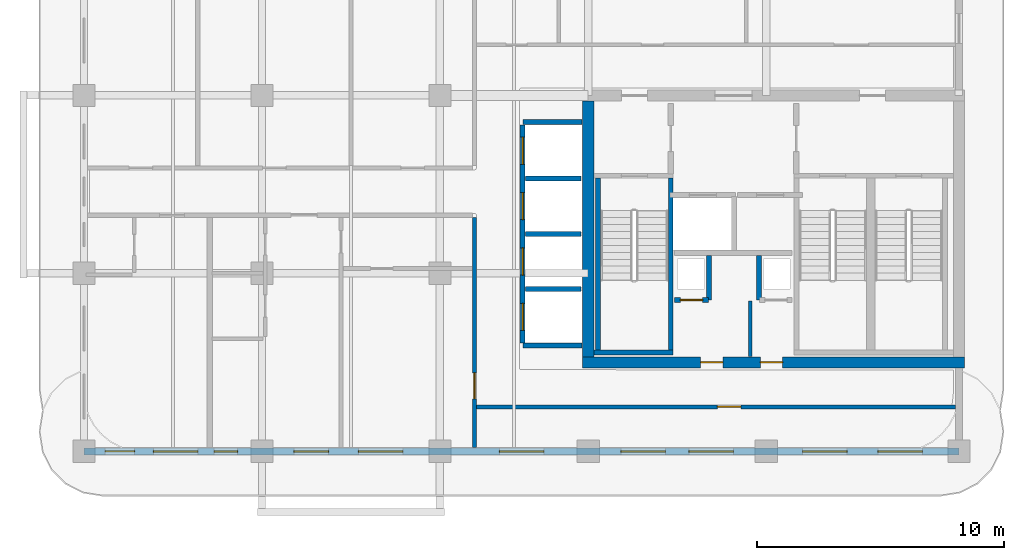
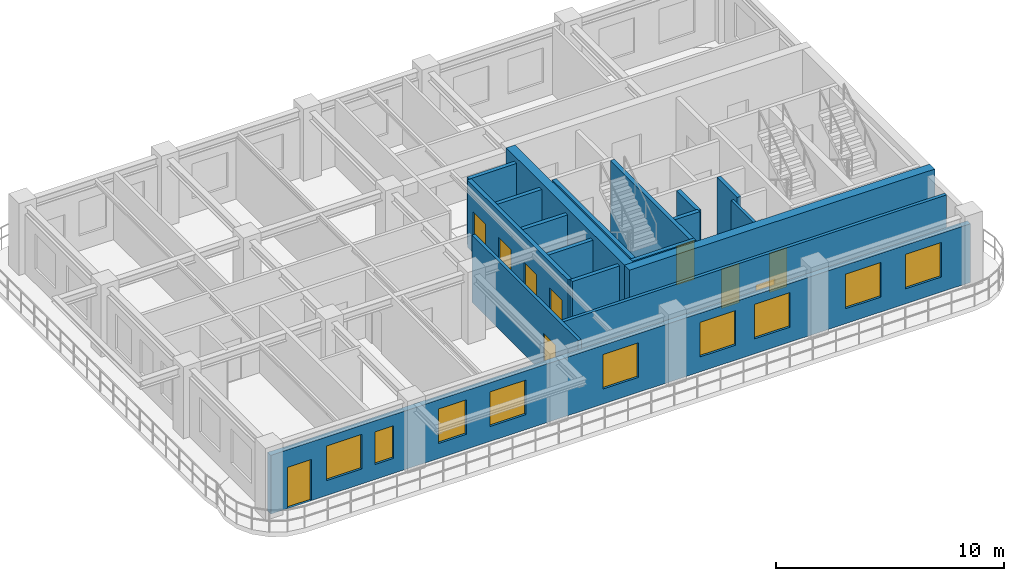
# One storey, part 3 of 7: 18 walls, 10 doors, 9 windows, 19 openings.
"""IFC4 building model written with IfcOpenShell, lengths in metres."""

from ifc_helpers import new_model, si_unit, derived_unit, direction, frame, frame_2d, origin, place, context, subcontext, project, spatial, rectangle, extrude, source, transform, mapped, material, layer, layer_set, type_object, type_shapes, element, fill, save


model = new_model("IFC4")

# Units and contexts
model_context = context("Model", 3, precision=1e-05, world=origin(), true_north=direction((0.0, 1.0)))
body_context = subcontext(model_context, "Body", "Model", "MODEL_VIEW")
ifc_project = project(units=[si_unit("LENGTHUNIT", "METRE"), si_unit("AREAUNIT", "SQUARE_METRE"), si_unit("VOLUMEUNIT", "CUBIC_METRE"), si_unit("PLANEANGLEUNIT", "RADIAN"), si_unit("MASSUNIT", "GRAM", prefix="KILO"), si_unit("THERMODYNAMICTEMPERATUREUNIT", "KELVIN"), si_unit("POWERUNIT", "WATT"), derived_unit("THERMALTRANSMITTANCEUNIT", [(si_unit("POWERUNIT", "WATT"), 1), (si_unit("AREAUNIT", "SQUARE_METRE"), -1), (si_unit("THERMODYNAMICTEMPERATUREUNIT", "KELVIN"), -1)])], contexts=[model_context])

# Site, building, storey
site_placement = place(None, origin())
site = spatial("IfcSite", under=ifc_project, at=site_placement, CompositionType="ELEMENT")
building_placement = place(site_placement, origin())
building = spatial("IfcBuilding", under=site, at=building_placement, Name="Zahravan Archway Hotel and Residences", CompositionType="ELEMENT")
storey_placement = place(building_placement, frame((0.0, 0.0, 244.25)))
storey = spatial("IfcBuildingStorey", under=building, at=storey_placement, Name="L61", CompositionType="ELEMENT", Elevation=244.25)

# Wall, openings, doors
ifc_material_1 = material(Name="Concrete C50/60", Category="concrete")
ifc_layer_1 = layer(ifc_material_1, 0.449951171875, Name="Concrete C50/60", Category="concrete")
ifc_layer_set_1 = layer_set([ifc_layer_1], Name="Concrete C50/60")
wall_type_1 = type_object("IfcWallType", Name="CW-CORE-450", PredefinedType="SHEAR", material=ifc_layer_set_1)
wall_1_placement = place(storey_placement, frame((34.574951171875, 3.60009765625, 0.0), z_axis=(0.0, 0.0, 1.0), x_axis=(1.0, 0.0, 0.0)))
wall_1 = element("IfcWall", 1, at=wall_1_placement, inside=storey, type_object=wall_type_1, Name="L61 Core A Shear S Wall 450 mm", PredefinedType="SHEAR", context=body_context, shape_type="SweptSolid", body=[
    extrude(rectangle(XDim=15.449951171875, YDim=0.449951171875, at=frame_2d((7.72509765625, 0.0))), origin(), (0.0, 0.0, 1.0), 3.85009765625),
])
opening_1_placement = place(wall_1_placement, frame((4.77490234375, 0.0, 0.0)))
opening_1 = element("IfcOpeningElement", 2, at=opening_1_placement, cuts=wall_1, Name="Opening FD-R1", PredefinedType="OPENING", context=body_context, shape_type="SweptSolid", body=[
    extrude(rectangle(XDim=0.89990234375, YDim=2.10009765625, at=frame_2d((0.449951171875, 1.050048828125))), frame((0.0, 0.23486328125, 0.0), z_axis=(0.0, -1.0, 0.0), x_axis=(1.0, 0.0, 0.0)), (0.0, 0.0, 1.0), 0.469970703125),
])
opening_2_placement = place(wall_1_placement, frame((7.195068359375, 0.0, 0.0)))
opening_2 = element("IfcOpeningElement", 3, at=opening_2_placement, cuts=wall_1, Name="Opening FD-R1", PredefinedType="OPENING", context=body_context, shape_type="SweptSolid", body=[
    extrude(rectangle(XDim=0.89990234375, YDim=2.10009765625, at=frame_2d((0.449951171875, 1.050048828125))), frame((0.0, 0.23486328125, 0.0), z_axis=(0.0, -1.0, 0.0), x_axis=(1.0, 0.0, 0.0)), (0.0, 0.0, 1.0), 0.469970703125),
])
ifc_material_2 = material(Name="Fire-Rated Painted Steel", Category="steel")
door_type_1 = type_object("IfcDoorType", Name="FD-RISER-900", OperationType="NOTDEFINED", PredefinedType="DOOR", material=ifc_material_2)
shared_shape_1 = source(origin(), body_context, "Body", "SweptSolid", [
    extrude(rectangle(XDim=0.89990234375, YDim=2.10009765625, at=frame_2d((0.449951171875, 1.050048828125))), frame((0.0, 0.02490234375, 0.0), z_axis=(0.0, -1.0, 0.0), x_axis=(1.0, 0.0, 0.0)), (0.0, 0.0, 1.0), 0.050048828125),
])
type_shapes(door_type_1, [shared_shape_1])
door_1_placement = place(opening_1_placement, origin())
door_1 = element("IfcDoor", 4, at=door_1_placement, inside=storey, type_object=door_type_1, Name="L61 Service Pantry Door", OperationType="SINGLE_SWING_RIGHT", OverallHeight=2.10009765625, OverallWidth=0.89990234375, PredefinedType="DOOR", context=body_context, shape_type="MappedRepresentation", body=[
    mapped(shared_shape_1, transform((0.0, 0.0, 0.0), scale=1.0)),
])
fill(opening_1, door_1)
door_2_placement = place(opening_2_placement, origin())
door_2 = element("IfcDoor", 5, at=door_2_placement, inside=storey, type_object=door_type_1, Name="L61 Fibre ELV Riser Door", OperationType="SINGLE_SWING_LEFT", OverallHeight=2.10009765625, OverallWidth=0.89990234375, PredefinedType="DOOR", context=body_context, shape_type="MappedRepresentation", body=[
    mapped(shared_shape_1, transform((0.0, 0.0, 0.0), scale=1.0)),
])
fill(opening_2, door_2)

# Wall
wall_2_placement = place(storey_placement, frame((34.800048828125, 3.824951171875, 0.0), z_axis=(0.0, 0.0, 1.0), x_axis=(0.0, 1.0, 0.0)))
element("IfcWall", 6, at=wall_2_placement, inside=storey, type_object=wall_type_1, Name="L61 Core A Shear W Wall 450 mm", PredefinedType="SHEAR", context=body_context, shape_type="SweptSolid", body=[
    extrude(rectangle(XDim=10.35009765625, YDim=0.449951171875, at=frame_2d((5.175048828125, 0.0))), origin(), (0.0, 0.0, 1.0), 3.85009765625),
])

# Wall, openings, door, windows
ifc_material_3 = material(Name="Honed Red-Ochre Sandstone & Insulated Block", Category="masonry")
ifc_layer_2 = layer(ifc_material_3, 0.280029296875, Name="Honed Red-Ochre Sandstone & Insulated Block", Category="masonry")
ifc_layer_set_2 = layer_set([ifc_layer_2], Name="Honed Red-Ochre Sandstone & Insulated Block")
wall_type_2 = type_object("IfcWallType", Name="EW-LOG-280", PredefinedType="SOLIDWALL", material=ifc_layer_set_2)
wall_3_placement = place(storey_placement, frame((14.39990234375, 0.0, 0.0), z_axis=(0.0, 0.0, 1.0), x_axis=(1.0, 0.0, 0.0)))
wall_3 = element("IfcWall", 7, at=wall_3_placement, inside=storey, type_object=wall_type_2, Name="L61 Exterior Sandstone Wall WA-S", PredefinedType="SOLIDWALL", context=body_context, shape_type="SweptSolid", body=[
    extrude(rectangle(XDim=35.400146484375, YDim=0.280029296875, at=frame_2d((17.7001953125, 0.0))), origin(), (0.0, 0.0, 1.0), 3.135009765625),
])
opening_3_placement = place(wall_3_placement, frame((0.85009765625, 0.0, 0.0)))
opening_3 = element("IfcOpeningElement", 8, at=opening_3_placement, cuts=wall_3, Name="Opening ED-BL1", PredefinedType="OPENING", context=body_context, shape_type="SweptSolid", body=[
    extrude(rectangle(XDim=1.199951171875, YDim=2.199951171875, at=frame_2d((0.60009765625, 1.10009765625))), frame((0.0, 0.14990234375, 0.0), z_axis=(0.0, -1.0, 0.0), x_axis=(1.0, 0.0, 0.0)), (0.0, 0.0, 1.0), 0.300048828125),
])
opening_4_placement = place(wall_3_placement, frame((2.81103515625, 0.0, 0.800048828125)))
opening_4 = element("IfcOpeningElement", 9, at=opening_4_placement, cuts=wall_3, Name="Opening W-02", PredefinedType="OPENING", context=body_context, shape_type="SweptSolid", body=[
    extrude(rectangle(XDim=1.800048828125, YDim=1.85009765625, at=frame_2d((0.89990234375, 0.925048828125))), frame((0.0, 0.14990234375, 0.0), z_axis=(0.0, -1.0, 0.0), x_axis=(1.0, 0.0, 0.0)), (0.0, 0.0, 1.0), 0.300048828125),
])
opening_5_placement = place(wall_3_placement, frame((5.26904296875, 0.0, 0.800048828125)))
opening_5 = element("IfcOpeningElement", 10, at=opening_5_placement, cuts=wall_3, Name="Opening W-04", PredefinedType="OPENING", context=body_context, shape_type="SweptSolid", body=[
    extrude(rectangle(XDim=0.949951171875, YDim=1.75, at=frame_2d((0.47509765625, 0.875))), frame((0.0, 0.14990234375, 0.0), z_axis=(0.0, -1.0, 0.0), x_axis=(1.0, 0.0, 0.0)), (0.0, 0.0, 1.0), 0.300048828125),
])
opening_6_placement = place(wall_3_placement, frame((8.49609375, 0.0, 0.800048828125)))
opening_6 = element("IfcOpeningElement", 11, at=opening_6_placement, cuts=wall_3, Name="Opening W-03", PredefinedType="OPENING", context=body_context, shape_type="SweptSolid", body=[
    extrude(rectangle(XDim=1.39990234375, YDim=1.85009765625, at=frame_2d((0.699951171875, 0.925048828125))), frame((0.0, 0.14990234375, 0.0), z_axis=(0.0, -1.0, 0.0), x_axis=(1.0, 0.0, 0.0)), (0.0, 0.0, 1.0), 0.300048828125),
])
opening_7_placement = place(wall_3_placement, frame((11.10400390625, 0.0, 0.800048828125)))
opening_7 = element("IfcOpeningElement", 12, at=opening_7_placement, cuts=wall_3, Name="Opening W-02", PredefinedType="OPENING", context=body_context, shape_type="SweptSolid", body=[
    extrude(rectangle(XDim=1.800048828125, YDim=1.85009765625, at=frame_2d((0.89990234375, 0.925048828125))), frame((0.0, 0.14990234375, 0.0), z_axis=(0.0, -1.0, 0.0), x_axis=(1.0, 0.0, 0.0)), (0.0, 0.0, 1.0), 0.300048828125),
])
opening_8_placement = place(wall_3_placement, frame((16.803955078125, 0.0, 0.800048828125)))
opening_8 = element("IfcOpeningElement", 13, at=opening_8_placement, cuts=wall_3, Name="Opening W-02", PredefinedType="OPENING", context=body_context, shape_type="SweptSolid", body=[
    extrude(rectangle(XDim=1.800048828125, YDim=1.85009765625, at=frame_2d((0.89990234375, 0.925048828125))), frame((0.0, 0.14990234375, 0.0), z_axis=(0.0, -1.0, 0.0), x_axis=(1.0, 0.0, 0.0)), (0.0, 0.0, 1.0), 0.300048828125),
])
opening_9_placement = place(wall_3_placement, frame((21.72509765625, 0.0, 0.800048828125)))
opening_9 = element("IfcOpeningElement", 14, at=opening_9_placement, cuts=wall_3, Name="Opening W-02", PredefinedType="OPENING", context=body_context, shape_type="SweptSolid", body=[
    extrude(rectangle(XDim=1.800048828125, YDim=1.85009765625, at=frame_2d((0.89990234375, 0.925048828125))), frame((0.0, 0.14990234375, 0.0), z_axis=(0.0, -1.0, 0.0), x_axis=(1.0, 0.0, 0.0)), (0.0, 0.0, 1.0), 0.300048828125),
])
opening_10_placement = place(wall_3_placement, frame((24.47509765625, 0.0, 0.800048828125)))
opening_10 = element("IfcOpeningElement", 15, at=opening_10_placement, cuts=wall_3, Name="Opening W-02", PredefinedType="OPENING", context=body_context, shape_type="SweptSolid", body=[
    extrude(rectangle(XDim=1.800048828125, YDim=1.85009765625, at=frame_2d((0.89990234375, 0.925048828125))), frame((0.0, 0.14990234375, 0.0), z_axis=(0.0, -1.0, 0.0), x_axis=(1.0, 0.0, 0.0)), (0.0, 0.0, 1.0), 0.300048828125),
])
opening_11_placement = place(wall_3_placement, frame((29.074951171875, 0.0, 0.800048828125)))
opening_11 = element("IfcOpeningElement", 16, at=opening_11_placement, cuts=wall_3, Name="Opening W-02", PredefinedType="OPENING", context=body_context, shape_type="SweptSolid", body=[
    extrude(rectangle(XDim=1.800048828125, YDim=1.85009765625, at=frame_2d((0.89990234375, 0.925048828125))), frame((0.0, 0.14990234375, 0.0), z_axis=(0.0, -1.0, 0.0), x_axis=(1.0, 0.0, 0.0)), (0.0, 0.0, 1.0), 0.300048828125),
])
opening_12_placement = place(wall_3_placement, frame((32.125, 0.0, 0.800048828125)))
opening_12 = element("IfcOpeningElement", 17, at=opening_12_placement, cuts=wall_3, Name="Opening W-02", PredefinedType="OPENING", context=body_context, shape_type="SweptSolid", body=[
    extrude(rectangle(XDim=1.800048828125, YDim=1.85009765625, at=frame_2d((0.89990234375, 0.925048828125))), frame((0.0, 0.14990234375, 0.0), z_axis=(0.0, -1.0, 0.0), x_axis=(1.0, 0.0, 0.0)), (0.0, 0.0, 1.0), 0.300048828125),
])
ifc_material_4 = material(Name="Bronze-Anodized Glazed Aluminium", Category="aluminium")
door_type_2 = type_object("IfcDoorType", Name="ED-BALC-1200", OperationType="SLIDING_TO_LEFT", PredefinedType="DOOR", material=ifc_material_4)
shared_shape_2 = source(origin(), body_context, "Body", "SweptSolid", [
    extrude(rectangle(XDim=1.199951171875, YDim=2.199951171875, at=frame_2d((0.60009765625, 1.10009765625))), frame((0.0, 0.02490234375, 0.0), z_axis=(0.0, -1.0, 0.0), x_axis=(1.0, 0.0, 0.0)), (0.0, 0.0, 1.0), 0.050048828125),
])
type_shapes(door_type_2, [shared_shape_2])
door_3_placement = place(opening_3_placement, origin())
door_3 = element("IfcDoor", 18, at=door_3_placement, inside=storey, type_object=door_type_2, Name="L61 Outdoor Access Sliding Door (SLB-BAL-L61-SA)", OperationType="SLIDING_TO_LEFT", OverallHeight=2.199951171875, OverallWidth=1.199951171875, PredefinedType="DOOR", context=body_context, shape_type="MappedRepresentation", body=[
    mapped(shared_shape_2, transform((0.0, 0.0, 0.0), scale=1.0)),
])
fill(opening_3, door_3)
ifc_material_5 = material(Name="Bronze-Anodized Thermal-Break Aluminium & Low-E Glass", Category="aluminium")
window_type_1 = type_object("IfcWindowType", Name="WIN-TWR-1400", PartitioningType="SINGLE_PANEL", PredefinedType="WINDOW", material=ifc_material_5)
shared_shape_3 = source(origin(), body_context, "Body", "SweptSolid", [
    extrude(rectangle(XDim=1.39990234375, YDim=1.85009765625, at=frame_2d((0.699951171875, 0.925048828125))), frame((0.0, 0.030029296875, 0.0), z_axis=(0.0, -1.0, 0.0), x_axis=(1.0, 0.0, 0.0)), (0.0, 0.0, 1.0), 0.06005859375),
])
type_shapes(window_type_1, [shared_shape_3])
window_1_placement = place(opening_6_placement, origin())
window_1 = element("IfcWindow", 19, at=window_1_placement, inside=storey, type_object=window_type_1, Name="L61 Loggia Window 03", OverallHeight=1.85009765625, OverallWidth=1.39990234375, PartitioningType="SINGLE_PANEL", PredefinedType="WINDOW", context=body_context, shape_type="MappedRepresentation", body=[
    mapped(shared_shape_3, transform((0.0, 0.0, 0.0), scale=1.0)),
])
fill(opening_6, window_1)
window_type_2 = type_object("IfcWindowType", Name="WIN-NAR-950", PartitioningType="SINGLE_PANEL", PredefinedType="WINDOW", material=ifc_material_5)
shared_shape_4 = source(origin(), body_context, "Body", "SweptSolid", [
    extrude(rectangle(XDim=0.949951171875, YDim=1.75, at=frame_2d((0.47509765625, 0.875))), frame((0.0, 0.030029296875, 0.0), z_axis=(0.0, -1.0, 0.0), x_axis=(1.0, 0.0, 0.0)), (0.0, 0.0, 1.0), 0.06005859375),
])
type_shapes(window_type_2, [shared_shape_4])
window_2_placement = place(opening_5_placement, origin())
window_2 = element("IfcWindow", 20, at=window_2_placement, inside=storey, type_object=window_type_2, Name="L61 Loggia Window 02", OverallHeight=1.75, OverallWidth=0.949951171875, PartitioningType="SINGLE_PANEL", PredefinedType="WINDOW", context=body_context, shape_type="MappedRepresentation", body=[
    mapped(shared_shape_4, transform((0.0, 0.0, 0.0), scale=1.0)),
])
fill(opening_5, window_2)
window_type_3 = type_object("IfcWindowType", Name="WIN-TWR-1800", PartitioningType="DOUBLE_PANEL_VERTICAL", PredefinedType="WINDOW", material=ifc_material_5)
shared_shape_5 = source(origin(), body_context, "Body", "SweptSolid", [
    extrude(rectangle(XDim=1.800048828125, YDim=1.85009765625, at=frame_2d((0.89990234375, 0.925048828125))), frame((0.0, 0.030029296875, 0.0), z_axis=(0.0, -1.0, 0.0), x_axis=(1.0, 0.0, 0.0)), (0.0, 0.0, 1.0), 0.06005859375),
])
type_shapes(window_type_3, [shared_shape_5])
window_3_placement = place(opening_4_placement, origin())
window_3 = element("IfcWindow", 21, at=window_3_placement, inside=storey, type_object=window_type_3, Name="L61 Loggia Window 01", OverallHeight=1.85009765625, OverallWidth=1.800048828125, PartitioningType="DOUBLE_PANEL_VERTICAL", PredefinedType="WINDOW", context=body_context, shape_type="MappedRepresentation", body=[
    mapped(shared_shape_5, transform((0.0, 0.0, 0.0), scale=1.0)),
])
fill(opening_4, window_3)
window_4_placement = place(opening_7_placement, origin())
window_4 = element("IfcWindow", 22, at=window_4_placement, inside=storey, type_object=window_type_3, Name="L61 Loggia Window 04", OverallHeight=1.85009765625, OverallWidth=1.800048828125, PartitioningType="DOUBLE_PANEL_VERTICAL", PredefinedType="WINDOW", context=body_context, shape_type="MappedRepresentation", body=[
    mapped(shared_shape_5, transform((0.0, 0.0, 0.0), scale=1.0)),
])
fill(opening_7, window_4)
window_5_placement = place(opening_8_placement, origin())
window_5 = element("IfcWindow", 23, at=window_5_placement, inside=storey, type_object=window_type_3, Name="L61 Loggia Window 05", OverallHeight=1.85009765625, OverallWidth=1.800048828125, PartitioningType="DOUBLE_PANEL_VERTICAL", PredefinedType="WINDOW", context=body_context, shape_type="MappedRepresentation", body=[
    mapped(shared_shape_5, transform((0.0, 0.0, 0.0), scale=1.0)),
])
fill(opening_8, window_5)
window_6_placement = place(opening_9_placement, origin())
window_6 = element("IfcWindow", 24, at=window_6_placement, inside=storey, type_object=window_type_3, Name="L61 Loggia Window 06", OverallHeight=1.85009765625, OverallWidth=1.800048828125, PartitioningType="DOUBLE_PANEL_VERTICAL", PredefinedType="WINDOW", context=body_context, shape_type="MappedRepresentation", body=[
    mapped(shared_shape_5, transform((0.0, 0.0, 0.0), scale=1.0)),
])
fill(opening_9, window_6)
window_7_placement = place(opening_10_placement, origin())
window_7 = element("IfcWindow", 25, at=window_7_placement, inside=storey, type_object=window_type_3, Name="L61 Loggia Window 07", OverallHeight=1.85009765625, OverallWidth=1.800048828125, PartitioningType="DOUBLE_PANEL_VERTICAL", PredefinedType="WINDOW", context=body_context, shape_type="MappedRepresentation", body=[
    mapped(shared_shape_5, transform((0.0, 0.0, 0.0), scale=1.0)),
])
fill(opening_10, window_7)
window_8_placement = place(opening_11_placement, origin())
window_8 = element("IfcWindow", 26, at=window_8_placement, inside=storey, type_object=window_type_3, Name="L61 Loggia Window 08", OverallHeight=1.85009765625, OverallWidth=1.800048828125, PartitioningType="DOUBLE_PANEL_VERTICAL", PredefinedType="WINDOW", context=body_context, shape_type="MappedRepresentation", body=[
    mapped(shared_shape_5, transform((0.0, 0.0, 0.0), scale=1.0)),
])
fill(opening_11, window_8)
window_9_placement = place(opening_12_placement, origin())
window_9 = element("IfcWindow", 27, at=window_9_placement, inside=storey, type_object=window_type_3, Name="L61 Loggia Window 09", OverallHeight=1.85009765625, OverallWidth=1.800048828125, PartitioningType="DOUBLE_PANEL_VERTICAL", PredefinedType="WINDOW", context=body_context, shape_type="MappedRepresentation", body=[
    mapped(shared_shape_5, transform((0.0, 0.0, 0.0), scale=1.0)),
])
fill(opening_12, window_9)

# Wall, opening, door
ifc_material_6 = material(Name="Fire-Rated Gypsum & Concrete Block", Category="concrete")
ifc_layer_3 = layer(ifc_material_6, 0.159912109375, Name="Fire-Rated Gypsum & Concrete Block", Category="concrete")
ifc_layer_set_3 = layer_set([ifc_layer_3], Name="Fire-Rated Gypsum & Concrete Block")
wall_type_3 = type_object("IfcWallType", Name="PW-CORR-160", PredefinedType="PARTITIONING", material=ifc_layer_set_3)
wall_4_placement = place(storey_placement, frame((30.199951171875, 0.14794921875, 0.0), z_axis=(0.0, 0.0, 1.0), x_axis=(0.0, 1.0, 0.0)))
wall_4 = element("IfcWall", 28, at=wall_4_placement, inside=storey, type_object=wall_type_3, Name="L61 Partition WA-SRW", PredefinedType="PARTITIONING", context=body_context, shape_type="SweptSolid", body=[
    extrude(rectangle(XDim=9.31201171875, YDim=0.159912109375, at=frame_2d((4.656005859375, 0.0))), origin(), (0.0, 0.0, 1.0), 3.60009765625),
])
opening_13_placement = place(wall_4_placement, frame((1.97705078125, 0.0, 0.0)))
opening_13 = element("IfcOpeningElement", 29, at=opening_13_placement, cuts=wall_4, Name="Opening FD-L2", PredefinedType="OPENING", context=body_context, shape_type="SweptSolid", body=[
    extrude(rectangle(XDim=1.050048828125, YDim=2.14990234375, at=frame_2d((0.52490234375, 1.074951171875))), frame((0.0, 0.08984375, 0.0), z_axis=(0.0, -1.0, 0.0), x_axis=(1.0, 0.0, 0.0)), (0.0, 0.0, 1.0), 0.179931640625),
])
door_type_3 = type_object("IfcDoorType", Name="FD-LOBBY-1100", OperationType="NOTDEFINED", PredefinedType="DOOR", material=ifc_material_2)
shared_shape_6 = source(origin(), body_context, "Body", "SweptSolid", [
    extrude(rectangle(XDim=1.050048828125, YDim=2.14990234375, at=frame_2d((0.52490234375, 1.074951171875))), frame((0.0, 0.02490234375, 0.0), z_axis=(0.0, -1.0, 0.0), x_axis=(1.0, 0.0, 0.0)), (0.0, 0.0, 1.0), 0.050048828125),
])
type_shapes(door_type_3, [shared_shape_6])
door_4_placement = place(opening_13_placement, origin())
door_4 = element("IfcDoor", 30, at=door_4_placement, inside=storey, type_object=door_type_3, Name="L61 South Riser Corridor Door", OperationType="SINGLE_SWING_RIGHT", OverallHeight=2.14990234375, OverallWidth=1.050048828125, PredefinedType="DOOR", context=body_context, shape_type="MappedRepresentation", body=[
    mapped(shared_shape_6, transform((0.0, 0.0, 0.0), scale=1.0)),
])
fill(opening_13, door_4)

wall_5_placement = place(storey_placement, frame((30.2900390625, 1.800048828125, 0.0), z_axis=(0.0, 0.0, 1.0), x_axis=(1.0, 0.0, 0.0)))
wall_5 = element("IfcWall", 31, at=wall_5_placement, inside=storey, type_object=wall_type_3, Name="L61 Partition WA-SRS", PredefinedType="PARTITIONING", context=body_context, shape_type="SweptSolid", body=[
    extrude(rectangle(XDim=19.369873046875, YDim=0.159912109375, at=frame_2d((9.68505859375, 0.0))), origin(), (0.0, 0.0, 1.0), 3.60009765625),
])
opening_14_placement = place(wall_5_placement, frame((9.735107421875, 0.0, 0.0)))
opening_14 = element("IfcOpeningElement", 32, at=opening_14_placement, cuts=wall_5, Name="Opening D-I1", PredefinedType="OPENING", context=body_context, shape_type="SweptSolid", body=[
    extrude(rectangle(XDim=0.949951171875, YDim=2.14990234375, at=frame_2d((0.47509765625, 1.074951171875))), frame((0.0, 0.08984375, 0.0), z_axis=(0.0, -1.0, 0.0), x_axis=(1.0, 0.0, 0.0)), (0.0, 0.0, 1.0), 0.179931640625),
])
ifc_material_7 = material(Name="Hardwood Veneer Timber", Category="wood")
door_type_4 = type_object("IfcDoorType", Name="ID-INT-950", OperationType="NOTDEFINED", PredefinedType="DOOR", material=ifc_material_7)
shared_shape_7 = source(origin(), body_context, "Body", "SweptSolid", [
    extrude(rectangle(XDim=0.949951171875, YDim=2.14990234375, at=frame_2d((0.47509765625, 1.074951171875))), frame((0.0, 0.02490234375, 0.0), z_axis=(0.0, -1.0, 0.0), x_axis=(1.0, 0.0, 0.0)), (0.0, 0.0, 1.0), 0.050048828125),
])
type_shapes(door_type_4, [shared_shape_7])
door_5_placement = place(opening_14_placement, origin())
door_5 = element("IfcDoor", 33, at=door_5_placement, inside=storey, type_object=door_type_4, Name="L61 South Viewing Lounge Door", OperationType="SINGLE_SWING_LEFT", OverallHeight=2.14990234375, OverallWidth=0.949951171875, PredefinedType="DOOR", context=body_context, shape_type="MappedRepresentation", body=[
    mapped(shared_shape_7, transform((0.0, 0.0, 0.0), scale=1.0)),
])
fill(opening_14, door_5)

ifc_layer_4 = layer(ifc_material_6, 0.199951171875, Name="Fire-Rated Gypsum & Concrete Block", Category="concrete")
ifc_layer_set_4 = layer_set([ifc_layer_4], Name="Fire-Rated Gypsum & Concrete Block")
wall_type_4 = type_object("IfcWallType", Name="PW-SHAFT-200", PredefinedType="PARTITIONING", material=ifc_layer_set_4)
wall_6_placement = place(storey_placement, frame((38.2900390625, 6.1201171875, 0.0), z_axis=(0.0, 0.0, 1.0), x_axis=(1.0, 0.0, 0.0)))
wall_6 = element("IfcWall", 34, at=wall_6_placement, inside=storey, type_object=wall_type_4, Name="L61 Partition CA-SMKS", PredefinedType="PARTITIONING", context=body_context, shape_type="SweptSolid", body=[
    extrude(rectangle(XDim=1.3798828125, YDim=0.199951171875, at=frame_2d((0.68994140625, 0.0))), origin(), (0.0, 0.0, 1.0), 3.60009765625),
])
opening_15_placement = place(wall_6_placement, frame((0.239990234375, 0.0, 0.0)))
opening_15 = element("IfcOpeningElement", 35, at=opening_15_placement, cuts=wall_6, Name="Opening FD-R1", PredefinedType="OPENING", context=body_context, shape_type="SweptSolid", body=[
    extrude(rectangle(XDim=0.89990234375, YDim=2.10009765625, at=frame_2d((0.449951171875, 1.050048828125))), frame((0.0, 0.10986328125, 0.0), z_axis=(0.0, -1.0, 0.0), x_axis=(1.0, 0.0, 0.0)), (0.0, 0.0, 1.0), 0.219970703125),
])
door_6_placement = place(opening_15_placement, origin())
door_6 = element("IfcDoor", 36, at=door_6_placement, inside=storey, type_object=door_type_1, Name="L61 Smoke Riser Access Door", OperationType="SINGLE_SWING_RIGHT", OverallHeight=2.10009765625, OverallWidth=0.89990234375, PredefinedType="DOOR", context=body_context, shape_type="MappedRepresentation", body=[
    mapped(shared_shape_1, transform((0.0, 0.0, 0.0), scale=1.0)),
])
fill(opening_15, door_6)

# Walls
for number, where, z_axis, x_axis, name in (
    (37, (39.679931640625, 6.1298828125, 0.0), (0.0, 0.0, 1.0), (0.0, 1.0, 0.0), "L61 Partition CA-SMKE"),
    (38, (41.719970703125, 6.1298828125, 0.0), (0.0, 0.0, 1.0), (0.0, 1.0, 0.0), "L61 Partition CA-MEPW"),
):
    element("IfcWall", number, at=place(storey_placement, frame(where, z_axis=z_axis, x_axis=x_axis)), inside=storey, type_object=wall_type_4, Name=name, PredefinedType="PARTITIONING", context=body_context, shape_type="SweptSolid", body=[
        extrude(rectangle(XDim=1.7900390625, YDim=0.199951171875, at=frame_2d((0.89501953125, 0.0))), origin(), (0.0, 0.0, 1.0), 3.60009765625),
    ])
for number, where, z_axis, x_axis, name in (
    (39, (32.159912109375, 4.280029296875, 0.0), (0.0, 0.0, 1.0), (1.0, 0.0, 0.0), "L61 Partition B3-S"),
    (40, (32.159912109375, 13.320068359375, 0.0), (0.0, 0.0, 1.0), (1.0, 0.0, 0.0), "L61 Partition B3-N"),
):
    element("IfcWall", number, at=place(storey_placement, frame(where, z_axis=z_axis, x_axis=x_axis)), inside=storey, type_object=wall_type_4, Name=name, PredefinedType="PARTITIONING", context=body_context, shape_type="SweptSolid", body=[
        extrude(rectangle(XDim=2.385009765625, YDim=0.199951171875, at=frame_2d((1.1923828125, 0.0))), origin(), (0.0, 0.0, 1.0), 3.60009765625),
    ])

# Wall, openings, doors
wall_7_placement = place(storey_placement, frame((32.14990234375, 4.389892578125, 0.0), z_axis=(0.0, 0.0, 1.0), x_axis=(0.0, 1.0, 0.0)))
wall_7 = element("IfcWall", 41, at=wall_7_placement, inside=storey, type_object=wall_type_4, Name="L61 Partition B3-W", PredefinedType="PARTITIONING", context=body_context, shape_type="SweptSolid", body=[
    extrude(rectangle(XDim=8.820068359375, YDim=0.199951171875, at=frame_2d((4.41015625, 0.0))), origin(), (0.0, 0.0, 1.0), 3.60009765625),
])
opening_16_placement = place(wall_7_placement, frame((0.5, 0.0, 0.0)))
opening_16 = element("IfcOpeningElement", 42, at=opening_16_placement, cuts=wall_7, Name="Opening LD", PredefinedType="OPENING", context=body_context, shape_type="SweptSolid", body=[
    extrude(rectangle(XDim=1.10009765625, YDim=2.199951171875, at=frame_2d((0.550048828125, 1.10009765625))), frame((0.0, 0.10986328125, 0.0), z_axis=(0.0, -1.0, 0.0), x_axis=(1.0, 0.0, 0.0)), (0.0, 0.0, 1.0), 0.219970703125),
])
opening_17_placement = place(wall_7_placement, frame((2.739990234375, 0.0, 0.0)))
opening_17 = element("IfcOpeningElement", 43, at=opening_17_placement, cuts=wall_7, Name="Opening LD", PredefinedType="OPENING", context=body_context, shape_type="SweptSolid", body=[
    extrude(rectangle(XDim=1.10009765625, YDim=2.199951171875, at=frame_2d((0.550048828125, 1.10009765625))), frame((0.0, 0.10986328125, 0.0), z_axis=(0.0, -1.0, 0.0), x_axis=(1.0, 0.0, 0.0)), (0.0, 0.0, 1.0), 0.219970703125),
])
opening_18_placement = place(wall_7_placement, frame((4.97998046875, 0.0, 0.0)))
opening_18 = element("IfcOpeningElement", 44, at=opening_18_placement, cuts=wall_7, Name="Opening LD", PredefinedType="OPENING", context=body_context, shape_type="SweptSolid", body=[
    extrude(rectangle(XDim=1.10009765625, YDim=2.199951171875, at=frame_2d((0.550048828125, 1.10009765625))), frame((0.0, 0.10986328125, 0.0), z_axis=(0.0, -1.0, 0.0), x_axis=(1.0, 0.0, 0.0)), (0.0, 0.0, 1.0), 0.219970703125),
])
opening_19_placement = place(wall_7_placement, frame((7.219970703125, 0.0, 0.0)))
opening_19 = element("IfcOpeningElement", 45, at=opening_19_placement, cuts=wall_7, Name="Opening LD", PredefinedType="OPENING", context=body_context, shape_type="SweptSolid", body=[
    extrude(rectangle(XDim=1.10009765625, YDim=2.199951171875, at=frame_2d((0.550048828125, 1.10009765625))), frame((0.0, 0.10986328125, 0.0), z_axis=(0.0, -1.0, 0.0), x_axis=(1.0, 0.0, 0.0)), (0.0, 0.0, 1.0), 0.219970703125),
])
ifc_material_8 = material(Name="Brushed Stainless Steel", Category="steel")
door_type_5 = type_object("IfcDoorType", Name="DR-LIFT-LD", OperationType="SLIDING_TO_LEFT", PredefinedType="DOOR", material=ifc_material_8)
shared_shape_8 = source(origin(), body_context, "Body", "SweptSolid", [
    extrude(rectangle(XDim=1.10009765625, YDim=2.199951171875, at=frame_2d((0.550048828125, 1.10009765625))), frame((0.0, 0.02490234375, 0.0), z_axis=(0.0, -1.0, 0.0), x_axis=(1.0, 0.0, 0.0)), (0.0, 0.0, 1.0), 0.050048828125),
])
type_shapes(door_type_5, [shared_shape_8])
door_7_placement = place(opening_16_placement, origin())
door_7 = element("IfcDoor", 46, at=door_7_placement, inside=storey, type_object=door_type_5, Name="L61 Lift LP-7 Sliding Landing Door", OperationType="SLIDING_TO_LEFT", OverallHeight=2.199951171875, OverallWidth=1.10009765625, PredefinedType="DOOR", context=body_context, shape_type="MappedRepresentation", body=[
    mapped(shared_shape_8, transform((0.0, 0.0, 0.0), scale=1.0)),
])
fill(opening_16, door_7)
door_8_placement = place(opening_17_placement, origin())
door_8 = element("IfcDoor", 47, at=door_8_placement, inside=storey, type_object=door_type_5, Name="L61 Lift LP-8 Sliding Landing Door", OperationType="SLIDING_TO_LEFT", OverallHeight=2.199951171875, OverallWidth=1.10009765625, PredefinedType="DOOR", context=body_context, shape_type="MappedRepresentation", body=[
    mapped(shared_shape_8, transform((0.0, 0.0, 0.0), scale=1.0)),
])
fill(opening_17, door_8)
door_9_placement = place(opening_18_placement, origin())
door_9 = element("IfcDoor", 48, at=door_9_placement, inside=storey, type_object=door_type_5, Name="L61 Lift LP-9 Sliding Landing Door", OperationType="SLIDING_TO_LEFT", OverallHeight=2.199951171875, OverallWidth=1.10009765625, PredefinedType="DOOR", context=body_context, shape_type="MappedRepresentation", body=[
    mapped(shared_shape_8, transform((0.0, 0.0, 0.0), scale=1.0)),
])
fill(opening_18, door_9)
door_10_placement = place(opening_19_placement, origin())
door_10 = element("IfcDoor", 49, at=door_10_placement, inside=storey, type_object=door_type_5, Name="L61 Lift LP-10 Sliding Landing Door", OperationType="SLIDING_TO_LEFT", OverallHeight=2.199951171875, OverallWidth=1.10009765625, PredefinedType="DOOR", context=body_context, shape_type="MappedRepresentation", body=[
    mapped(shared_shape_8, transform((0.0, 0.0, 0.0), scale=1.0)),
])
fill(opening_19, door_10)

# Walls
for number, where, z_axis, x_axis, name in (
    (50, (32.260009765625, 6.56005859375, 0.0), (0.0, 0.0, 1.0), (1.0, 0.0, 0.0), "L61 Partition B3-D"),
    (51, (32.260009765625, 8.800048828125, 0.0), (0.0, 0.0, 1.0), (1.0, 0.0, 0.0), "L61 Partition B3-D"),
    (52, (32.260009765625, 11.0400390625, 0.0), (0.0, 0.0, 1.0), (1.0, 0.0, 0.0), "L61 Partition B3-D"),
):
    element("IfcWall", number, at=place(storey_placement, frame(where, z_axis=z_axis, x_axis=x_axis)), inside=storey, type_object=wall_type_4, Name=name, PredefinedType="PARTITIONING", context=body_context, shape_type="SweptSolid", body=[
        extrude(rectangle(XDim=2.2548828125, YDim=0.199951171875, at=frame_2d((1.12744140625, 0.0))), origin(), (0.0, 0.0, 1.0), 3.60009765625),
    ])
ifc_material_9 = material(Name="Moisture-Resistant Blockwork", Category="masonry")
ifc_layer_5 = layer(ifc_material_9, 0.139892578125, Name="Moisture-Resistant Blockwork", Category="masonry")
ifc_layer_set_5 = layer_set([ifc_layer_5], Name="Moisture-Resistant Blockwork")
wall_type_5 = type_object("IfcWallType", Name="PW-WET-140", PredefinedType="PARTITIONING", material=ifc_layer_set_5)
wall_8_placement = place(storey_placement, frame((41.35009765625, 3.844970703125, 0.0), z_axis=(0.0, 0.0, 1.0), x_axis=(0.0, 1.0, 0.0)))
element("IfcWall", 53, at=wall_8_placement, inside=storey, type_object=wall_type_5, Name="L61 Partition CA-CV3", PredefinedType="PARTITIONING", context=body_context, shape_type="SweptSolid", body=[
    extrude(rectangle(XDim=2.235107421875, YDim=0.139892578125, at=frame_2d((1.11767578125, 0.0))), origin(), (0.0, 0.0, 1.0), 3.60009765625),
])
ifc_layer_6 = layer(ifc_material_1, 0.199951171875, Name="Concrete C50/60", Category="concrete")
ifc_layer_set_6 = layer_set([ifc_layer_6], Name="Concrete C50/60")
wall_type_6 = type_object("IfcWallType", Name="SW-STAIR-200", PredefinedType="SHEAR", material=ifc_layer_set_6)
wall_9_placement = place(storey_placement, frame((35.02490234375, 4.0, 0.0), z_axis=(0.0, 0.0, 1.0), x_axis=(1.0, 0.0, 0.0)))
element("IfcWall", 54, at=wall_9_placement, inside=storey, type_object=wall_type_6, Name="L61 Stairwell RC Wall CA-SA1S", PredefinedType="SHEAR", context=body_context, shape_type="SweptSolid", body=[
    extrude(rectangle(XDim=3.215087890625, YDim=0.199951171875, at=frame_2d((1.607421875, 0.0))), origin(), (0.0, 0.0, 1.0), 3.85009765625),
])
for number, where, z_axis, x_axis, name in (
    (55, (35.199951171875, 4.10009765625, 0.0), (0.0, 0.0, 1.0), (0.0, 1.0, 0.0), "L61 Stairwell RC Wall CA-SA1W"),
    (56, (38.139892578125, 4.10009765625, 0.0), (0.0, 0.0, 1.0), (0.0, 1.0, 0.0), "L61 Stairwell RC Wall CA-SA1E"),
):
    element("IfcWall", number, at=place(storey_placement, frame(where, z_axis=z_axis, x_axis=x_axis)), inside=storey, type_object=wall_type_6, Name=name, PredefinedType="SHEAR", context=body_context, shape_type="SweptSolid", body=[
        extrude(rectangle(XDim=6.949951171875, YDim=0.199951171875, at=frame_2d((3.47509765625, 0.0))), origin(), (0.0, 0.0, 1.0), 3.85009765625),
    ])

save(model, "model.ifc")
